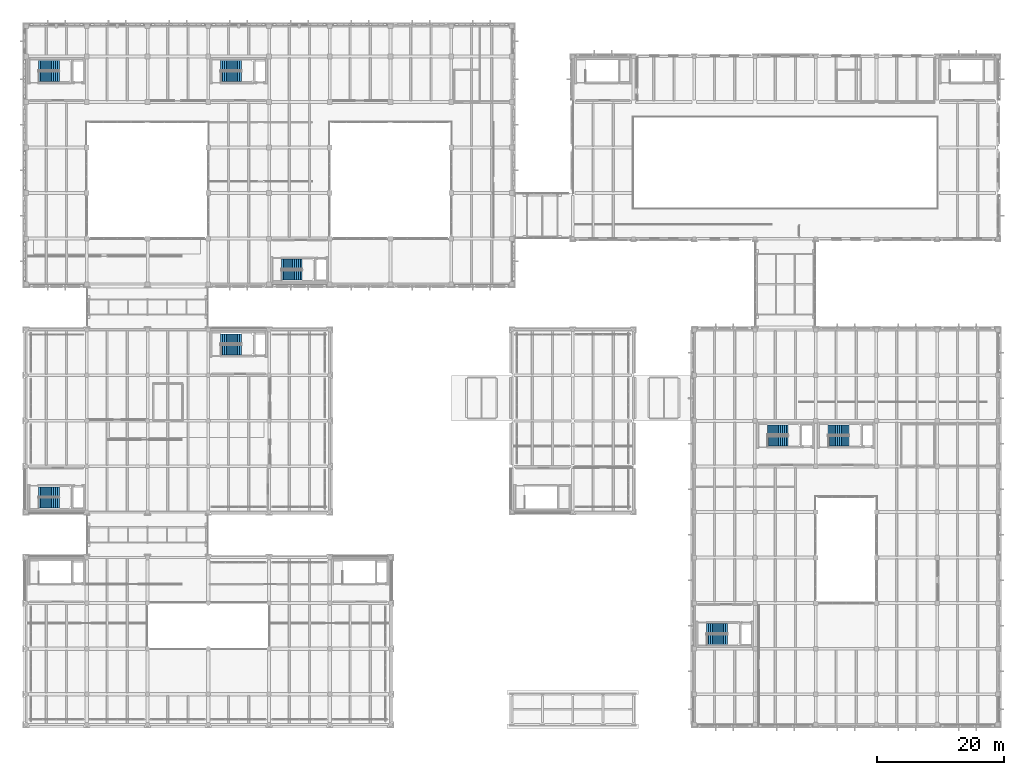
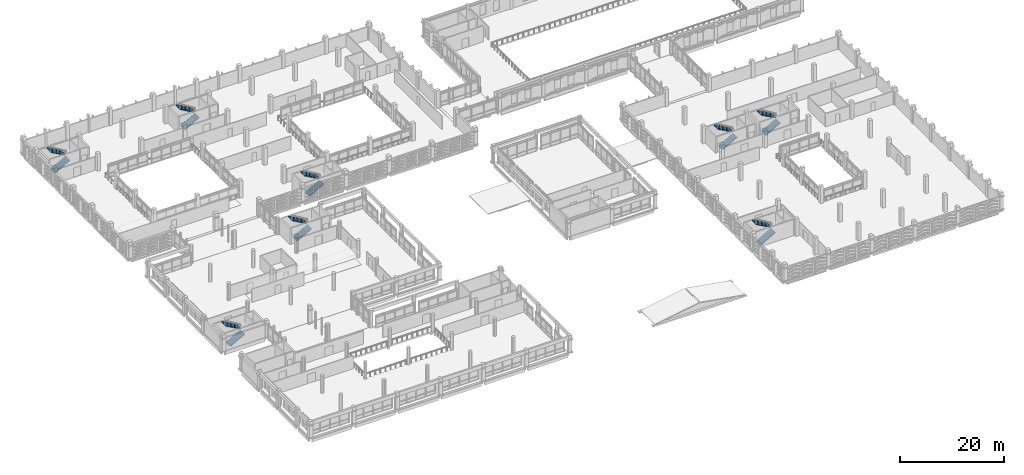
# One storey, part 159 of 180: 16 stair flights, 8 elements without a shape of their own.
"""IFC4 building model written with IfcOpenShell, lengths in metres."""

import ifcopenshell
import ifcopenshell.guid

model = None  # the IFC model being written
_history = None  # IfcOwnerHistory: only IFC2X3 demands one
_inside = {}  # id of a spatial element -> (the spatial element, [elements in it])
_under = {}  # id of a project, library or spatial element -> (it, [spatial elements below it])
_declared = {}  # id of a project -> (the project, [libraries it declares])
_typed = {}  # id of a type object -> (the type object, [elements of that type])
_made_of = {}  # id of a material, layer set ... -> (it, [elements and type objects made of it])


def new_model(schema):
    """Start an empty IFC model of exactly this schema.

    Asked for "IFC4X3", IfcOpenShell would pick the latest addendum, in which some entities
    have other attributes; the version numbers below select the first issue.
    IFC2X3 requires an IfcOwnerHistory on every rooted entity: one is made here for all.
    """
    global model, _history
    if schema == "IFC4X3":
        model = ifcopenshell.file(schema_version=(4, 3, 0, 0))
    else:
        model = ifcopenshell.file(schema=schema)
    _inside.clear()
    _under.clear()
    _declared.clear()
    _typed.clear()
    _made_of.clear()
    _history = None
    if model.schema == "IFC2X3":
        org = make("IfcOrganization", Name="unknown")
        user = make(
            "IfcPersonAndOrganization",
            ThePerson=make("IfcPerson", FamilyName="unknown"),
            TheOrganization=org,
        )
        app = make(
            "IfcApplication",
            ApplicationDeveloper=org,
            Version="unknown",
            ApplicationFullName="unknown",
            ApplicationIdentifier="unknown",
        )
        _history = make(
            "IfcOwnerHistory",
            OwningUser=user,
            OwningApplication=app,
            ChangeAction="ADDED",
            CreationDate=0,
        )
    return model


def make(cls, **values):
    """One entity of the class cls with the attributes given. An attribute that is None is left unset."""
    return model.create_entity(
        cls, **{name: value for name, value in values.items() if value is not None}
    )


def rooted(cls, **values):
    """An entity with a GlobalId (a new one), such as an element, a storey or a relation."""
    return make(cls, GlobalId=ifcopenshell.guid.new(), OwnerHistory=_history, **values)


def si_unit(unit_type, name, prefix=None):
    """IfcSIUnit, for example si_unit("LENGTHUNIT", "METRE", prefix="MILLI")."""
    return make("IfcSIUnit", UnitType=unit_type, Prefix=prefix, Name=name)


def assignment(units):
    """IfcUnitAssignment: the units of a project."""
    return None if units is None else make("IfcUnitAssignment", Units=units)


def point(xyz):
    """IfcCartesianPoint."""
    return None if xyz is None else make("IfcCartesianPoint", Coordinates=xyz)


def direction(xyz):
    """IfcDirection."""
    return None if xyz is None else make("IfcDirection", DirectionRatios=xyz)


def frame(location, z_axis=None, x_axis=None):
    """IfcAxis2Placement3D, a coordinate frame: its origin and axes. An axis left out is left unset."""
    return make(
        "IfcAxis2Placement3D",
        Location=point(location),
        Axis=direction(z_axis),
        RefDirection=direction(x_axis),
    )


def origin():
    """The frame at (0, 0, 0) with its axes left unset."""
    return frame((0.0, 0.0, 0.0))


def place(relative_to, where):
    """IfcLocalPlacement: puts the frame where relative to a parent placement (None: the world)."""
    return make(
        "IfcLocalPlacement", PlacementRelTo=relative_to, RelativePlacement=where
    )


def context(
    kind, dimensions, precision=None, world=None, true_north=None, identifier=None
):
    """IfcGeometricRepresentationContext, for example the 3D "Model" context."""
    return make(
        "IfcGeometricRepresentationContext",
        ContextIdentifier=identifier,
        ContextType=kind,
        CoordinateSpaceDimension=dimensions,
        Precision=precision,
        WorldCoordinateSystem=world,
        TrueNorth=true_north,
    )


def subcontext(parent, identifier, kind, view, scale=None):
    """IfcGeometricRepresentationSubContext, for example "Body" below "Model"."""
    return make(
        "IfcGeometricRepresentationSubContext",
        ContextIdentifier=identifier,
        ContextType=kind,
        ParentContext=parent,
        TargetScale=scale,
        TargetView=view,
    )


def project(units=None, contexts=None):
    """IfcProject with its units and contexts."""
    return rooted(
        "IfcProject",
        Name="project",
        RepresentationContexts=contexts,
        UnitsInContext=assignment(units),
    )


def spatial(cls, under=None, at=None, **own):
    """A site, building, storey or space (cls), placed at a placement, below another one or the project."""
    s = rooted(cls, ObjectPlacement=at, **own)
    if under is not None:
        _under.setdefault(under.id(), (under, []))[1].append(s)
    return s


def polyline(points):
    """IfcPolyline through the points."""
    return make("IfcPolyline", Points=[point(p) for p in points])


def outline(outer, holes=None, kind="AREA"):
    """IfcArbitraryClosedProfileDef: a profile drawn as a closed curve; with holes, ...WithVoids."""
    if holes is None:
        return make("IfcArbitraryClosedProfileDef", ProfileType=kind, OuterCurve=outer)
    return make(
        "IfcArbitraryProfileDefWithVoids",
        ProfileType=kind,
        OuterCurve=outer,
        InnerCurves=holes,
    )


def extrude(swept, where, along, depth):
    """IfcExtrudedAreaSolid: the profile swept, set in the frame where, extruded along a direction by depth."""
    return make(
        "IfcExtrudedAreaSolid",
        SweptArea=swept,
        Position=where,
        ExtrudedDirection=direction(along),
        Depth=depth,
    )


def shape(context_of_items, identifier, shape_type, items):
    """IfcShapeRepresentation: the items that make up one representation, for example the "Body"."""
    return make(
        "IfcShapeRepresentation",
        ContextOfItems=context_of_items,
        RepresentationIdentifier=identifier,
        RepresentationType=shape_type,
        Items=items,
    )


def material(Name=None, Category=None):
    """IfcMaterial."""
    return make("IfcMaterial", Name=Name, Category=Category)


def layer(
    of_material, thickness, ventilated=None, Name=None, Category=None, Priority=None
):
    """IfcMaterialLayer: one layer of a wall or slab, of a material (None: an air gap)."""
    return make(
        "IfcMaterialLayer",
        Material=of_material,
        LayerThickness=thickness,
        IsVentilated=ventilated,
        Name=Name,
        Category=Category,
        Priority=Priority,
    )


def layer_set(layers, Name=None):
    """IfcMaterialLayerSet."""
    return make("IfcMaterialLayerSet", MaterialLayers=layers, LayerSetName=Name)


def made_of(thing, what):
    """Note that an element or type object is made of a material, layer set ...; save() writes the relation."""
    if what is not None:
        _made_of.setdefault(what.id(), (what, []))[1].append(thing)
    return thing


def type_object(cls, material=None, **own):
    """A type object (cls), such as IfcWallType, which elements share."""
    return made_of(rooted(cls, **own), material)


def element(
    cls,
    number,
    at=None,
    inside=None,
    cuts=None,
    type_object=None,
    material=None,
    context=None,
    identifier="Body",
    shape_type=None,
    held_by="IfcProductDefinitionShape",
    body=None,
    shapes=None,
    **own,
):
    """One element of the class cls, such as IfcWall. Its Tag is "e" and its number.

    at: its placement. inside: the storey or other place that contains it. cuts: it is an
    opening in that element (IfcRelVoidsElement). A single representation is given by context,
    identifier, shape_type and body (its items); several are given by shapes. held_by: the class
    of the entity that holds the representations. save() writes the other relations.
    """
    e = rooted(cls, Tag="e%d" % number, ObjectPlacement=at, **own)
    if body is not None:
        shapes = [shape(context, identifier, shape_type, body)]
    if shapes is not None:
        e.Representation = make(held_by, Representations=shapes)
    if inside is not None:
        _inside.setdefault(inside.id(), (inside, []))[1].append(e)
    if cuts is not None:
        rooted(
            "IfcRelVoidsElement", RelatingBuildingElement=cuts, RelatedOpeningElement=e
        )
    if type_object is not None:
        _typed.setdefault(type_object.id(), (type_object, []))[1].append(e)
    return made_of(e, material)


def aggregate(whole, parts):
    """IfcRelAggregates: a whole, such as a stair, and the parts it consists of."""
    return rooted("IfcRelAggregates", RelatingObject=whole, RelatedObjects=parts)


def save(model, path):
    """Write the relations noted so far, then the file.

    IfcRelAggregates (storeys below a building ...), IfcRelContainedInSpatialStructure (elements
    in a storey), IfcRelDefinesByType, IfcRelAssociatesMaterial and IfcRelDeclares: one each for
    every whole, place, type object, material and project.
    """
    for whole, parts in _under.values():
        aggregate(whole, parts)
    for where, things in _inside.values():
        rooted(
            "IfcRelContainedInSpatialStructure",
            RelatedElements=things,
            RelatingStructure=where,
        )
    for kind, things in _typed.values():
        rooted("IfcRelDefinesByType", RelatedObjects=things, RelatingType=kind)
    for what, things in _made_of.values():
        rooted("IfcRelAssociatesMaterial", RelatedObjects=things, RelatingMaterial=what)
    for by, libraries in _declared.values():
        rooted("IfcRelDeclares", RelatingContext=by, RelatedDefinitions=libraries)
    model.write(path)


model = new_model("IFC4")

# Units and contexts
model_context = context("Model", 3, precision=1e-05, world=origin(), true_north=direction((0.0, 1.0)))
body_context = subcontext(model_context, "Body", "Model", "MODEL_VIEW")
ifc_project = project(units=[si_unit("LENGTHUNIT", "METRE"), si_unit("AREAUNIT", "SQUARE_METRE"), si_unit("VOLUMEUNIT", "CUBIC_METRE"), si_unit("PLANEANGLEUNIT", "RADIAN"), si_unit("MASSUNIT", "GRAM", prefix="KILO")], contexts=[model_context])

# Site, building, storey
site_placement = place(None, origin())
site = spatial("IfcSite", under=ifc_project, at=site_placement, CompositionType="ELEMENT")
building_placement = place(site_placement, origin())
building = spatial("IfcBuilding", under=site, at=building_placement, Name="Asteropetra Specialist Clinic", CompositionType="ELEMENT")
storey_placement = place(building_placement, frame((0.0, 0.0, 4.419921875)))
storey = spatial("IfcBuildingStorey", under=building, at=storey_placement, Name="L01", CompositionType="ELEMENT", Elevation=4.419921875)

# Stair, stair flights
ifc_material_1 = material(Name="Concrete C35/45", Category="concrete")
stair_type_1 = type_object("IfcStairType", Name="STR-DOG-155", PredefinedType="TWO_STRAIGHT_RUN_STAIR", material=ifc_material_1)
stair_1_placement = place(storey_placement, origin())
stair_1 = element("IfcStair", 1, at=stair_1_placement, inside=storey, type_object=stair_type_1, Name="Type I Stair ST10-L01", PredefinedType="TWO_STRAIGHT_RUN_STAIR")
ifc_material_2 = material(Name="Concrete C35/45", Category="concrete")
ifc_layer_1 = layer(ifc_material_2, 0.179931640625)
ifc_layer_set_1 = layer_set([ifc_layer_1], Name="Concrete C35/45")
stair_flight_type_1 = type_object("IfcStairFlightType", Name="SFL-STR-155", PredefinedType="STRAIGHT", material=ifc_layer_set_1)
stair_flight_1_placement = place(storey_placement, frame((117.14990234375, 44.794921875, 0.0), z_axis=(0.0, 0.0, 1.0), x_axis=(1.0, 0.0, 0.0)))
stair_flight_1 = element("IfcStairFlight", 2, at=stair_flight_1_placement, type_object=stair_flight_type_1, Name="ST10-L01 flight 1", NumberOfRisers=12, NumberOfTreads=11, PredefinedType="STRAIGHT", RiserHeight=0.17, TreadLength=0.3, context=body_context, shape_type="SweptSolid", body=[
    extrude(outline(polyline([(0.0, 0.0), (0.0, 0.169921875), (0.300048828125, 0.169921875), (0.300048828125, 0.340087890625), (0.60009765625, 0.340087890625), (0.60009765625, 0.510009765625), (0.89990234375, 0.510009765625), (0.89990234375, 0.679931640625), (1.199951171875, 0.679931640625), (1.199951171875, 0.85009765625), (1.5, 0.85009765625), (1.5, 1.02001953125), (1.800048828125, 1.02001953125), (1.800048828125, 1.18994140625), (2.10009765625, 1.18994140625), (2.10009765625, 1.360107421875), (2.39990234375, 1.360107421875), (2.39990234375, 1.530029296875), (2.699951171875, 1.530029296875), (2.699951171875, 1.699951171875), (3.0, 1.699951171875), (3.0, 1.8701171875), (3.300048828125, 1.8701171875), (3.300048828125, 2.0400390625), (3.300048828125, 1.686279296875), (0.324462890625, 0.0), (0.0, 0.0)])), frame((0.0, 0.77490234375, 0.0), z_axis=(0.0, -1.0, 0.0), x_axis=(1.0, 0.0, 0.0)), (0.0, 0.0, 1.0), 1.550048828125),
])
stair_flight_2_placement = place(storey_placement, frame((120.449951171875, 46.5849609375, 2.0400390625), z_axis=(0.0, 0.0, 1.0), x_axis=(-1.0, 0.0, 0.0)))
stair_flight_2 = element("IfcStairFlight", 3, at=stair_flight_2_placement, type_object=stair_flight_type_1, Name="ST10-L01 flight 2", NumberOfRisers=12, NumberOfTreads=11, PredefinedType="STRAIGHT", RiserHeight=0.17, TreadLength=0.3, context=body_context, shape_type="SweptSolid", body=[
    extrude(outline(polyline([(0.0, 0.0), (0.0, 0.169921875), (0.300048828125, 0.169921875), (0.300048828125, 0.340087890625), (0.60009765625, 0.340087890625), (0.60009765625, 0.510009765625), (0.89990234375, 0.510009765625), (0.89990234375, 0.679931640625), (1.199951171875, 0.679931640625), (1.199951171875, 0.85009765625), (1.5, 0.85009765625), (1.5, 1.02001953125), (1.800048828125, 1.02001953125), (1.800048828125, 1.18994140625), (2.10009765625, 1.18994140625), (2.10009765625, 1.360107421875), (2.39990234375, 1.360107421875), (2.39990234375, 1.530029296875), (2.699951171875, 1.530029296875), (2.699951171875, 1.699951171875), (3.0, 1.699951171875), (3.0, 1.8701171875), (3.300048828125, 1.8701171875), (3.300048828125, 2.0400390625), (3.300048828125, 1.686279296875), (0.324462890625, 0.0), (0.0, 0.0)])), frame((0.0, 0.77490234375, 0.0), z_axis=(0.0, -1.0, 0.0), x_axis=(1.0, 0.0, 0.0)), (0.0, 0.0, 1.0), 1.550048828125),
])
aggregate(stair_1, [stair_flight_1, stair_flight_2])

ifc_material_3 = material(Name="Concrete C35/45", Category="concrete")
stair_type_2 = type_object("IfcStairType", Name="STR-DOG-160", PredefinedType="TWO_STRAIGHT_RUN_STAIR", material=ifc_material_3)
stair_2_placement = place(storey_placement, origin())
stair_2 = element("IfcStair", 4, at=stair_2_placement, inside=storey, type_object=stair_type_2, Name="Type I Stair ST03-L01", PredefinedType="TWO_STRAIGHT_RUN_STAIR")
ifc_material_4 = material(Name="Concrete C35/45", Category="concrete")
ifc_layer_2 = layer(ifc_material_4, 0.179931640625)
ifc_layer_set_2 = layer_set([ifc_layer_2], Name="Concrete C35/45")
stair_flight_type_2 = type_object("IfcStairFlightType", Name="SFL-STR-160", PredefinedType="STRAIGHT", material=ifc_layer_set_2)
stair_flight_3_placement = place(storey_placement, frame((40.35009765625, 71.0400390625, 0.0), z_axis=(0.0, 0.0, 1.0), x_axis=(1.0, 0.0, 0.0)))
stair_flight_3 = element("IfcStairFlight", 5, at=stair_flight_3_placement, type_object=stair_flight_type_2, Name="ST03-L01 flight 1", NumberOfRisers=12, NumberOfTreads=11, PredefinedType="STRAIGHT", RiserHeight=0.17, TreadLength=0.3, context=body_context, shape_type="SweptSolid", body=[
    extrude(outline(polyline([(0.0, 0.0), (0.0, 0.169921875), (0.300048828125, 0.169921875), (0.300048828125, 0.340087890625), (0.60009765625, 0.340087890625), (0.60009765625, 0.510009765625), (0.89990234375, 0.510009765625), (0.89990234375, 0.679931640625), (1.199951171875, 0.679931640625), (1.199951171875, 0.85009765625), (1.5, 0.85009765625), (1.5, 1.02001953125), (1.800048828125, 1.02001953125), (1.800048828125, 1.18994140625), (2.10009765625, 1.18994140625), (2.10009765625, 1.360107421875), (2.39990234375, 1.360107421875), (2.39990234375, 1.530029296875), (2.699951171875, 1.530029296875), (2.699951171875, 1.699951171875), (3.0, 1.699951171875), (3.0, 1.8701171875), (3.300048828125, 1.8701171875), (3.300048828125, 2.0400390625), (3.300048828125, 1.686279296875), (0.324462890625, 0.0), (0.0, 0.0)])), frame((0.0, 0.800048828125, 0.0), z_axis=(0.0, -1.0, 0.0), x_axis=(1.0, 0.0, 0.0)), (0.0, 0.0, 1.0), 1.60009765625),
])
stair_flight_4_placement = place(storey_placement, frame((43.64990234375, 72.780029296875, 2.0400390625), z_axis=(0.0, 0.0, 1.0), x_axis=(-1.0, 0.0, 0.0)))
stair_flight_4 = element("IfcStairFlight", 6, at=stair_flight_4_placement, type_object=stair_flight_type_2, Name="ST03-L01 flight 2", NumberOfRisers=12, NumberOfTreads=11, PredefinedType="STRAIGHT", RiserHeight=0.17, TreadLength=0.3, context=body_context, shape_type="SweptSolid", body=[
    extrude(outline(polyline([(0.0, 0.0), (0.0, 0.169921875), (0.300048828125, 0.169921875), (0.300048828125, 0.340087890625), (0.60009765625, 0.340087890625), (0.60009765625, 0.510009765625), (0.89990234375, 0.510009765625), (0.89990234375, 0.679931640625), (1.199951171875, 0.679931640625), (1.199951171875, 0.85009765625), (1.5, 0.85009765625), (1.5, 1.02001953125), (1.800048828125, 1.02001953125), (1.800048828125, 1.18994140625), (2.10009765625, 1.18994140625), (2.10009765625, 1.360107421875), (2.39990234375, 1.360107421875), (2.39990234375, 1.530029296875), (2.699951171875, 1.530029296875), (2.699951171875, 1.699951171875), (3.0, 1.699951171875), (3.0, 1.8701171875), (3.300048828125, 1.8701171875), (3.300048828125, 2.0400390625), (3.300048828125, 1.686279296875), (0.324462890625, 0.0), (0.0, 0.0)])), frame((0.0, 0.800048828125, 0.0), z_axis=(0.0, -1.0, 0.0), x_axis=(1.0, 0.0, 0.0)), (0.0, 0.0, 1.0), 1.60009765625),
])
aggregate(stair_2, [stair_flight_3, stair_flight_4])

stair_3_placement = place(storey_placement, origin())
stair_3 = element("IfcStair", 7, at=stair_3_placement, inside=storey, type_object=stair_type_2, Name="Type I Stair ST05-L01", PredefinedType="TWO_STRAIGHT_RUN_STAIR")
stair_flight_5_placement = place(storey_placement, frame((30.75, 59.219970703125, 0.0), z_axis=(0.0, 0.0, 1.0), x_axis=(1.0, 0.0, 0.0)))
stair_flight_5 = element("IfcStairFlight", 8, at=stair_flight_5_placement, type_object=stair_flight_type_2, Name="ST05-L01 flight 1", NumberOfRisers=12, NumberOfTreads=11, PredefinedType="STRAIGHT", RiserHeight=0.17, TreadLength=0.3, context=body_context, shape_type="SweptSolid", body=[
    extrude(outline(polyline([(0.0, 0.0), (0.0, 0.169921875), (0.300048828125, 0.169921875), (0.300048828125, 0.340087890625), (0.60009765625, 0.340087890625), (0.60009765625, 0.510009765625), (0.89990234375, 0.510009765625), (0.89990234375, 0.679931640625), (1.199951171875, 0.679931640625), (1.199951171875, 0.85009765625), (1.5, 0.85009765625), (1.5, 1.02001953125), (1.800048828125, 1.02001953125), (1.800048828125, 1.18994140625), (2.10009765625, 1.18994140625), (2.10009765625, 1.360107421875), (2.39990234375, 1.360107421875), (2.39990234375, 1.530029296875), (2.699951171875, 1.530029296875), (2.699951171875, 1.699951171875), (3.0, 1.699951171875), (3.0, 1.8701171875), (3.300048828125, 1.8701171875), (3.300048828125, 2.0400390625), (3.300048828125, 1.686279296875), (0.324462890625, 0.0), (0.0, 0.0)])), frame((0.0, 0.800048828125, 0.0), z_axis=(0.0, -1.0, 0.0), x_axis=(1.0, 0.0, 0.0)), (0.0, 0.0, 1.0), 1.60009765625),
])
stair_flight_6_placement = place(storey_placement, frame((34.050048828125, 60.9599609375, 2.0400390625), z_axis=(0.0, 0.0, 1.0), x_axis=(-1.0, 0.0, 0.0)))
stair_flight_6 = element("IfcStairFlight", 9, at=stair_flight_6_placement, type_object=stair_flight_type_2, Name="ST05-L01 flight 2", NumberOfRisers=12, NumberOfTreads=11, PredefinedType="STRAIGHT", RiserHeight=0.17, TreadLength=0.3, context=body_context, shape_type="SweptSolid", body=[
    extrude(outline(polyline([(0.0, 0.0), (0.0, 0.169921875), (0.300048828125, 0.169921875), (0.300048828125, 0.340087890625), (0.60009765625, 0.340087890625), (0.60009765625, 0.510009765625), (0.89990234375, 0.510009765625), (0.89990234375, 0.679931640625), (1.199951171875, 0.679931640625), (1.199951171875, 0.85009765625), (1.5, 0.85009765625), (1.5, 1.02001953125), (1.800048828125, 1.02001953125), (1.800048828125, 1.18994140625), (2.10009765625, 1.18994140625), (2.10009765625, 1.360107421875), (2.39990234375, 1.360107421875), (2.39990234375, 1.530029296875), (2.699951171875, 1.530029296875), (2.699951171875, 1.699951171875), (3.0, 1.699951171875), (3.0, 1.8701171875), (3.300048828125, 1.8701171875), (3.300048828125, 2.0400390625), (3.300048828125, 1.686279296875), (0.324462890625, 0.0), (0.0, 0.0)])), frame((0.0, 0.800048828125, 0.0), z_axis=(0.0, -1.0, 0.0), x_axis=(1.0, 0.0, 0.0)), (0.0, 0.0, 1.0), 1.60009765625),
])
aggregate(stair_3, [stair_flight_5, stair_flight_6])

ifc_material_5 = material(Name="Concrete C35/45", Category="concrete")
stair_type_3 = type_object("IfcStairType", Name="STR-DOG-165", PredefinedType="TWO_STRAIGHT_RUN_STAIR", material=ifc_material_5)
stair_4_placement = place(storey_placement, origin())
stair_4 = element("IfcStair", 10, at=stair_4_placement, inside=storey, type_object=stair_type_3, Name="Type I Stair ST01-L01", PredefinedType="TWO_STRAIGHT_RUN_STAIR")
ifc_material_6 = material(Name="Concrete C35/45", Category="concrete")
ifc_layer_3 = layer(ifc_material_6, 0.179931640625)
ifc_layer_set_3 = layer_set([ifc_layer_3], Name="Concrete C35/45")
stair_flight_type_3 = type_object("IfcStairFlightType", Name="SFL-STR-165", PredefinedType="STRAIGHT", material=ifc_layer_set_3)
stair_flight_7_placement = place(storey_placement, frame((1.949951171875, 102.445068359375, 0.0), z_axis=(0.0, 0.0, 1.0), x_axis=(1.0, 0.0, 0.0)))
stair_flight_7 = element("IfcStairFlight", 11, at=stair_flight_7_placement, type_object=stair_flight_type_3, Name="ST01-L01 flight 1", NumberOfRisers=12, NumberOfTreads=11, PredefinedType="STRAIGHT", RiserHeight=0.17, TreadLength=0.3, context=body_context, shape_type="SweptSolid", body=[
    extrude(outline(polyline([(0.0, 0.0), (0.0, 0.169921875), (0.300048828125, 0.169921875), (0.300048828125, 0.340087890625), (0.60009765625, 0.340087890625), (0.60009765625, 0.510009765625), (0.89990234375, 0.510009765625), (0.89990234375, 0.679931640625), (1.199951171875, 0.679931640625), (1.199951171875, 0.85009765625), (1.5, 0.85009765625), (1.5, 1.02001953125), (1.800048828125, 1.02001953125), (1.800048828125, 1.18994140625), (2.10009765625, 1.18994140625), (2.10009765625, 1.360107421875), (2.39990234375, 1.360107421875), (2.39990234375, 1.530029296875), (2.699951171875, 1.530029296875), (2.699951171875, 1.699951171875), (3.0, 1.699951171875), (3.0, 1.8701171875), (3.300048828125, 1.8701171875), (3.300048828125, 2.0400390625), (3.300048828125, 1.686279296875), (0.324462890625, 0.0), (0.0, 0.0)])), frame((0.0, 0.824951171875, 0.0), z_axis=(0.0, -1.0, 0.0), x_axis=(1.0, 0.0, 0.0)), (0.0, 0.0, 1.0), 1.64990234375),
])
stair_flight_8_placement = place(storey_placement, frame((5.25, 104.135009765625, 2.0400390625), z_axis=(0.0, 0.0, 1.0), x_axis=(-1.0, 0.0, 0.0)))
stair_flight_8 = element("IfcStairFlight", 12, at=stair_flight_8_placement, type_object=stair_flight_type_3, Name="ST01-L01 flight 2", NumberOfRisers=12, NumberOfTreads=11, PredefinedType="STRAIGHT", RiserHeight=0.17, TreadLength=0.3, context=body_context, shape_type="SweptSolid", body=[
    extrude(outline(polyline([(0.0, 0.0), (0.0, 0.169921875), (0.300048828125, 0.169921875), (0.300048828125, 0.340087890625), (0.60009765625, 0.340087890625), (0.60009765625, 0.510009765625), (0.89990234375, 0.510009765625), (0.89990234375, 0.679931640625), (1.199951171875, 0.679931640625), (1.199951171875, 0.85009765625), (1.5, 0.85009765625), (1.5, 1.02001953125), (1.800048828125, 1.02001953125), (1.800048828125, 1.18994140625), (2.10009765625, 1.18994140625), (2.10009765625, 1.360107421875), (2.39990234375, 1.360107421875), (2.39990234375, 1.530029296875), (2.699951171875, 1.530029296875), (2.699951171875, 1.699951171875), (3.0, 1.699951171875), (3.0, 1.8701171875), (3.300048828125, 1.8701171875), (3.300048828125, 2.0400390625), (3.300048828125, 1.686279296875), (0.324462890625, 0.0), (0.0, 0.0)])), frame((0.0, 0.824951171875, 0.0), z_axis=(0.0, -1.0, 0.0), x_axis=(1.0, 0.0, 0.0)), (0.0, 0.0, 1.0), 1.64990234375),
])
aggregate(stair_4, [stair_flight_7, stair_flight_8])

stair_5_placement = place(storey_placement, origin())
stair_5 = element("IfcStair", 13, at=stair_5_placement, inside=storey, type_object=stair_type_3, Name="Type I Stair ST02-L01", PredefinedType="TWO_STRAIGHT_RUN_STAIR")
stair_flight_9_placement = place(storey_placement, frame((30.75, 102.445068359375, 0.0), z_axis=(0.0, 0.0, 1.0), x_axis=(1.0, 0.0, 0.0)))
stair_flight_9 = element("IfcStairFlight", 14, at=stair_flight_9_placement, type_object=stair_flight_type_3, Name="ST02-L01 flight 1", NumberOfRisers=12, NumberOfTreads=11, PredefinedType="STRAIGHT", RiserHeight=0.17, TreadLength=0.3, context=body_context, shape_type="SweptSolid", body=[
    extrude(outline(polyline([(0.0, 0.0), (0.0, 0.169921875), (0.300048828125, 0.169921875), (0.300048828125, 0.340087890625), (0.60009765625, 0.340087890625), (0.60009765625, 0.510009765625), (0.89990234375, 0.510009765625), (0.89990234375, 0.679931640625), (1.199951171875, 0.679931640625), (1.199951171875, 0.85009765625), (1.5, 0.85009765625), (1.5, 1.02001953125), (1.800048828125, 1.02001953125), (1.800048828125, 1.18994140625), (2.10009765625, 1.18994140625), (2.10009765625, 1.360107421875), (2.39990234375, 1.360107421875), (2.39990234375, 1.530029296875), (2.699951171875, 1.530029296875), (2.699951171875, 1.699951171875), (3.0, 1.699951171875), (3.0, 1.8701171875), (3.300048828125, 1.8701171875), (3.300048828125, 2.0400390625), (3.300048828125, 1.686279296875), (0.324462890625, 0.0), (0.0, 0.0)])), frame((0.0, 0.824951171875, 0.0), z_axis=(0.0, -1.0, 0.0), x_axis=(1.0, 0.0, 0.0)), (0.0, 0.0, 1.0), 1.64990234375),
])
stair_flight_10_placement = place(storey_placement, frame((34.050048828125, 104.135009765625, 2.0400390625), z_axis=(0.0, 0.0, 1.0), x_axis=(-1.0, 0.0, 0.0)))
stair_flight_10 = element("IfcStairFlight", 15, at=stair_flight_10_placement, type_object=stair_flight_type_3, Name="ST02-L01 flight 2", NumberOfRisers=12, NumberOfTreads=11, PredefinedType="STRAIGHT", RiserHeight=0.17, TreadLength=0.3, context=body_context, shape_type="SweptSolid", body=[
    extrude(outline(polyline([(0.0, 0.0), (0.0, 0.169921875), (0.300048828125, 0.169921875), (0.300048828125, 0.340087890625), (0.60009765625, 0.340087890625), (0.60009765625, 0.510009765625), (0.89990234375, 0.510009765625), (0.89990234375, 0.679931640625), (1.199951171875, 0.679931640625), (1.199951171875, 0.85009765625), (1.5, 0.85009765625), (1.5, 1.02001953125), (1.800048828125, 1.02001953125), (1.800048828125, 1.18994140625), (2.10009765625, 1.18994140625), (2.10009765625, 1.360107421875), (2.39990234375, 1.360107421875), (2.39990234375, 1.530029296875), (2.699951171875, 1.530029296875), (2.699951171875, 1.699951171875), (3.0, 1.699951171875), (3.0, 1.8701171875), (3.300048828125, 1.8701171875), (3.300048828125, 2.0400390625), (3.300048828125, 1.686279296875), (0.324462890625, 0.0), (0.0, 0.0)])), frame((0.0, 0.824951171875, 0.0), z_axis=(0.0, -1.0, 0.0), x_axis=(1.0, 0.0, 0.0)), (0.0, 0.0, 1.0), 1.64990234375),
])
aggregate(stair_5, [stair_flight_9, stair_flight_10])

stair_6_placement = place(storey_placement, origin())
stair_6 = element("IfcStair", 16, at=stair_6_placement, inside=storey, type_object=stair_type_3, Name="Type I Stair ST04-L01", PredefinedType="TWO_STRAIGHT_RUN_STAIR")
stair_flight_11_placement = place(storey_placement, frame((1.949951171875, 35.06494140625, 0.0), z_axis=(0.0, 0.0, 1.0), x_axis=(1.0, 0.0, 0.0)))
stair_flight_11 = element("IfcStairFlight", 17, at=stair_flight_11_placement, type_object=stair_flight_type_3, Name="ST04-L01 flight 1", NumberOfRisers=12, NumberOfTreads=11, PredefinedType="STRAIGHT", RiserHeight=0.17, TreadLength=0.3, context=body_context, shape_type="SweptSolid", body=[
    extrude(outline(polyline([(0.0, 0.0), (0.0, 0.169921875), (0.300048828125, 0.169921875), (0.300048828125, 0.340087890625), (0.60009765625, 0.340087890625), (0.60009765625, 0.510009765625), (0.89990234375, 0.510009765625), (0.89990234375, 0.679931640625), (1.199951171875, 0.679931640625), (1.199951171875, 0.85009765625), (1.5, 0.85009765625), (1.5, 1.02001953125), (1.800048828125, 1.02001953125), (1.800048828125, 1.18994140625), (2.10009765625, 1.18994140625), (2.10009765625, 1.360107421875), (2.39990234375, 1.360107421875), (2.39990234375, 1.530029296875), (2.699951171875, 1.530029296875), (2.699951171875, 1.699951171875), (3.0, 1.699951171875), (3.0, 1.8701171875), (3.300048828125, 1.8701171875), (3.300048828125, 2.0400390625), (3.300048828125, 1.686279296875), (0.324462890625, 0.0), (0.0, 0.0)])), frame((0.0, 0.824951171875, 0.0), z_axis=(0.0, -1.0, 0.0), x_axis=(1.0, 0.0, 0.0)), (0.0, 0.0, 1.0), 1.64990234375),
])
stair_flight_12_placement = place(storey_placement, frame((5.25, 36.7548828125, 2.0400390625), z_axis=(0.0, 0.0, 1.0), x_axis=(-1.0, 0.0, 0.0)))
stair_flight_12 = element("IfcStairFlight", 18, at=stair_flight_12_placement, type_object=stair_flight_type_3, Name="ST04-L01 flight 2", NumberOfRisers=12, NumberOfTreads=11, PredefinedType="STRAIGHT", RiserHeight=0.17, TreadLength=0.3, context=body_context, shape_type="SweptSolid", body=[
    extrude(outline(polyline([(0.0, 0.0), (0.0, 0.169921875), (0.300048828125, 0.169921875), (0.300048828125, 0.340087890625), (0.60009765625, 0.340087890625), (0.60009765625, 0.510009765625), (0.89990234375, 0.510009765625), (0.89990234375, 0.679931640625), (1.199951171875, 0.679931640625), (1.199951171875, 0.85009765625), (1.5, 0.85009765625), (1.5, 1.02001953125), (1.800048828125, 1.02001953125), (1.800048828125, 1.18994140625), (2.10009765625, 1.18994140625), (2.10009765625, 1.360107421875), (2.39990234375, 1.360107421875), (2.39990234375, 1.530029296875), (2.699951171875, 1.530029296875), (2.699951171875, 1.699951171875), (3.0, 1.699951171875), (3.0, 1.8701171875), (3.300048828125, 1.8701171875), (3.300048828125, 2.0400390625), (3.300048828125, 1.686279296875), (0.324462890625, 0.0), (0.0, 0.0)])), frame((0.0, 0.824951171875, 0.0), z_axis=(0.0, -1.0, 0.0), x_axis=(1.0, 0.0, 0.0)), (0.0, 0.0, 1.0), 1.64990234375),
])
aggregate(stair_6, [stair_flight_11, stair_flight_12])

stair_7_placement = place(storey_placement, origin())
stair_7 = element("IfcStair", 19, at=stair_7_placement, inside=storey, type_object=stair_type_3, Name="Type I Stair ST08-L01", PredefinedType="TWO_STRAIGHT_RUN_STAIR")
stair_flight_13_placement = place(storey_placement, frame((107.550048828125, 13.465087890625, 0.0), z_axis=(0.0, 0.0, 1.0), x_axis=(1.0, 0.0, 0.0)))
stair_flight_13 = element("IfcStairFlight", 20, at=stair_flight_13_placement, type_object=stair_flight_type_3, Name="ST08-L01 flight 1", NumberOfRisers=12, NumberOfTreads=11, PredefinedType="STRAIGHT", RiserHeight=0.17, TreadLength=0.3, context=body_context, shape_type="SweptSolid", body=[
    extrude(outline(polyline([(0.0, 0.0), (0.0, 0.169921875), (0.300048828125, 0.169921875), (0.300048828125, 0.340087890625), (0.60009765625, 0.340087890625), (0.60009765625, 0.510009765625), (0.89990234375, 0.510009765625), (0.89990234375, 0.679931640625), (1.199951171875, 0.679931640625), (1.199951171875, 0.85009765625), (1.5, 0.85009765625), (1.5, 1.02001953125), (1.800048828125, 1.02001953125), (1.800048828125, 1.18994140625), (2.10009765625, 1.18994140625), (2.10009765625, 1.360107421875), (2.39990234375, 1.360107421875), (2.39990234375, 1.530029296875), (2.699951171875, 1.530029296875), (2.699951171875, 1.699951171875), (3.0, 1.699951171875), (3.0, 1.8701171875), (3.300048828125, 1.8701171875), (3.300048828125, 2.0400390625), (3.300048828125, 1.686279296875), (0.324462890625, 0.0), (0.0, 0.0)])), frame((0.0, 0.824951171875, 0.0), z_axis=(0.0, -1.0, 0.0), x_axis=(1.0, 0.0, 0.0)), (0.0, 0.0, 1.0), 1.64990234375),
])
stair_flight_14_placement = place(storey_placement, frame((110.85009765625, 15.155029296875, 2.0400390625), z_axis=(0.0, 0.0, 1.0), x_axis=(-1.0, 0.0, 0.0)))
stair_flight_14 = element("IfcStairFlight", 21, at=stair_flight_14_placement, type_object=stair_flight_type_3, Name="ST08-L01 flight 2", NumberOfRisers=12, NumberOfTreads=11, PredefinedType="STRAIGHT", RiserHeight=0.17, TreadLength=0.3, context=body_context, shape_type="SweptSolid", body=[
    extrude(outline(polyline([(0.0, 0.0), (0.0, 0.169921875), (0.300048828125, 0.169921875), (0.300048828125, 0.340087890625), (0.60009765625, 0.340087890625), (0.60009765625, 0.510009765625), (0.89990234375, 0.510009765625), (0.89990234375, 0.679931640625), (1.199951171875, 0.679931640625), (1.199951171875, 0.85009765625), (1.5, 0.85009765625), (1.5, 1.02001953125), (1.800048828125, 1.02001953125), (1.800048828125, 1.18994140625), (2.10009765625, 1.18994140625), (2.10009765625, 1.360107421875), (2.39990234375, 1.360107421875), (2.39990234375, 1.530029296875), (2.699951171875, 1.530029296875), (2.699951171875, 1.699951171875), (3.0, 1.699951171875), (3.0, 1.8701171875), (3.300048828125, 1.8701171875), (3.300048828125, 2.0400390625), (3.300048828125, 1.686279296875), (0.324462890625, 0.0), (0.0, 0.0)])), frame((0.0, 0.824951171875, 0.0), z_axis=(0.0, -1.0, 0.0), x_axis=(1.0, 0.0, 0.0)), (0.0, 0.0, 1.0), 1.64990234375),
])
aggregate(stair_7, [stair_flight_13, stair_flight_14])

stair_8_placement = place(storey_placement, origin())
stair_8 = element("IfcStair", 22, at=stair_8_placement, inside=storey, type_object=stair_type_3, Name="Type I Stair ST09-L01", PredefinedType="TWO_STRAIGHT_RUN_STAIR")
stair_flight_15_placement = place(storey_placement, frame((126.75, 44.844970703125, 0.0), z_axis=(0.0, 0.0, 1.0), x_axis=(1.0, 0.0, 0.0)))
stair_flight_15 = element("IfcStairFlight", 23, at=stair_flight_15_placement, type_object=stair_flight_type_3, Name="ST09-L01 flight 1", NumberOfRisers=12, NumberOfTreads=11, PredefinedType="STRAIGHT", RiserHeight=0.17, TreadLength=0.3, context=body_context, shape_type="SweptSolid", body=[
    extrude(outline(polyline([(0.0, 0.0), (0.0, 0.169921875), (0.300048828125, 0.169921875), (0.300048828125, 0.340087890625), (0.60009765625, 0.340087890625), (0.60009765625, 0.510009765625), (0.89990234375, 0.510009765625), (0.89990234375, 0.679931640625), (1.199951171875, 0.679931640625), (1.199951171875, 0.85009765625), (1.5, 0.85009765625), (1.5, 1.02001953125), (1.800048828125, 1.02001953125), (1.800048828125, 1.18994140625), (2.10009765625, 1.18994140625), (2.10009765625, 1.360107421875), (2.39990234375, 1.360107421875), (2.39990234375, 1.530029296875), (2.699951171875, 1.530029296875), (2.699951171875, 1.699951171875), (3.0, 1.699951171875), (3.0, 1.8701171875), (3.300048828125, 1.8701171875), (3.300048828125, 2.0400390625), (3.300048828125, 1.686279296875), (0.324462890625, 0.0), (0.0, 0.0)])), frame((0.0, 0.824951171875, 0.0), z_axis=(0.0, -1.0, 0.0), x_axis=(1.0, 0.0, 0.0)), (0.0, 0.0, 1.0), 1.64990234375),
])
stair_flight_16_placement = place(storey_placement, frame((130.050048828125, 46.534912109375, 2.0400390625), z_axis=(0.0, 0.0, 1.0), x_axis=(-1.0, 0.0, 0.0)))
stair_flight_16 = element("IfcStairFlight", 24, at=stair_flight_16_placement, type_object=stair_flight_type_3, Name="ST09-L01 flight 2", NumberOfRisers=12, NumberOfTreads=11, PredefinedType="STRAIGHT", RiserHeight=0.17, TreadLength=0.3, context=body_context, shape_type="SweptSolid", body=[
    extrude(outline(polyline([(0.0, 0.0), (0.0, 0.169921875), (0.300048828125, 0.169921875), (0.300048828125, 0.340087890625), (0.60009765625, 0.340087890625), (0.60009765625, 0.510009765625), (0.89990234375, 0.510009765625), (0.89990234375, 0.679931640625), (1.199951171875, 0.679931640625), (1.199951171875, 0.85009765625), (1.5, 0.85009765625), (1.5, 1.02001953125), (1.800048828125, 1.02001953125), (1.800048828125, 1.18994140625), (2.10009765625, 1.18994140625), (2.10009765625, 1.360107421875), (2.39990234375, 1.360107421875), (2.39990234375, 1.530029296875), (2.699951171875, 1.530029296875), (2.699951171875, 1.699951171875), (3.0, 1.699951171875), (3.0, 1.8701171875), (3.300048828125, 1.8701171875), (3.300048828125, 2.0400390625), (3.300048828125, 1.686279296875), (0.324462890625, 0.0), (0.0, 0.0)])), frame((0.0, 0.824951171875, 0.0), z_axis=(0.0, -1.0, 0.0), x_axis=(1.0, 0.0, 0.0)), (0.0, 0.0, 1.0), 1.64990234375),
])
aggregate(stair_8, [stair_flight_15, stair_flight_16])

save(model, "model.ifc")
